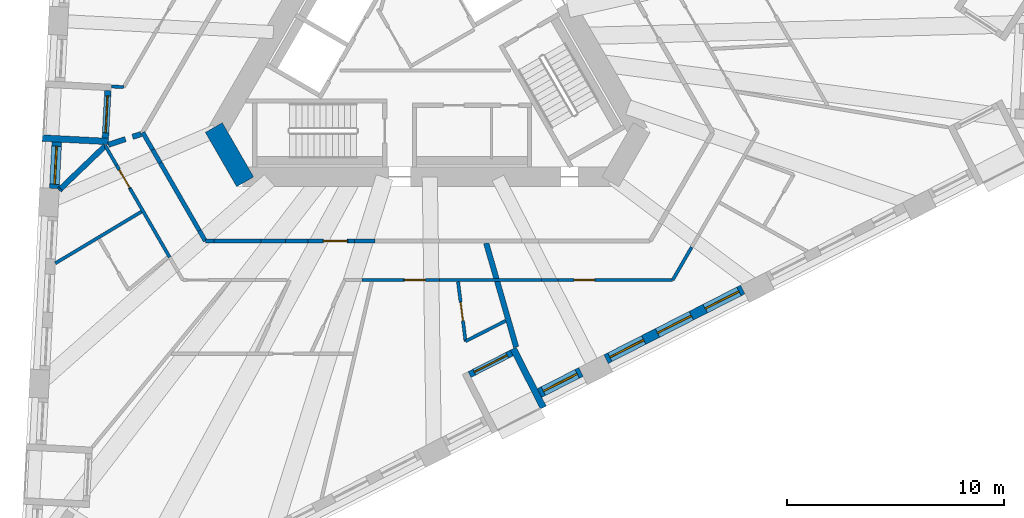
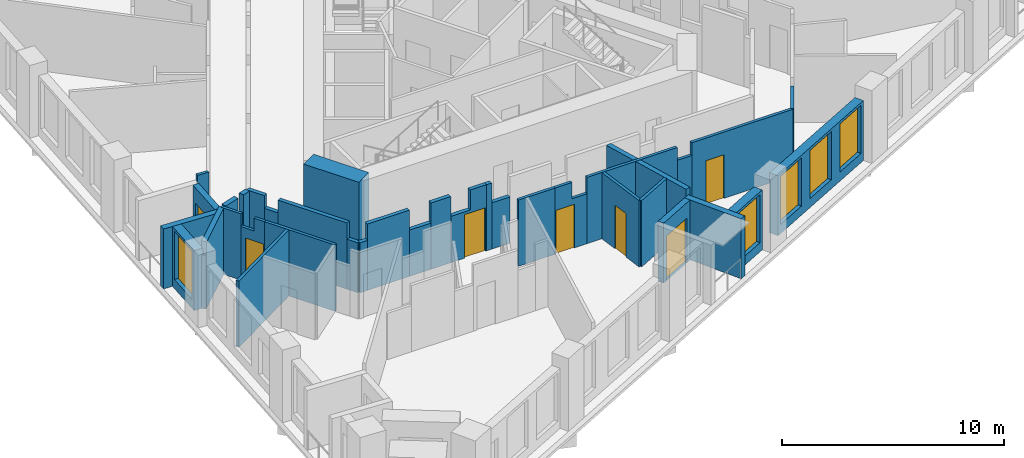
# One storey, part 3 of 13: 37 walls, 7 doors, 5 windows, 12 openings.
"""IFC4 building model written with IfcOpenShell, lengths in metres."""

import ifcopenshell
import ifcopenshell.guid

model = None  # the IFC model being written
_history = None  # IfcOwnerHistory: only IFC2X3 demands one
_inside = {}  # id of a spatial element -> (the spatial element, [elements in it])
_under = {}  # id of a project, library or spatial element -> (it, [spatial elements below it])
_declared = {}  # id of a project -> (the project, [libraries it declares])
_typed = {}  # id of a type object -> (the type object, [elements of that type])
_made_of = {}  # id of a material, layer set ... -> (it, [elements and type objects made of it])


def new_model(schema):
    """Start an empty IFC model of exactly this schema.

    Asked for "IFC4X3", IfcOpenShell would pick the latest addendum, in which some entities
    have other attributes; the version numbers below select the first issue.
    IFC2X3 requires an IfcOwnerHistory on every rooted entity: one is made here for all.
    """
    global model, _history
    if schema == "IFC4X3":
        model = ifcopenshell.file(schema_version=(4, 3, 0, 0))
    else:
        model = ifcopenshell.file(schema=schema)
    _inside.clear()
    _under.clear()
    _declared.clear()
    _typed.clear()
    _made_of.clear()
    _history = None
    if model.schema == "IFC2X3":
        org = make("IfcOrganization", Name="unknown")
        user = make(
            "IfcPersonAndOrganization",
            ThePerson=make("IfcPerson", FamilyName="unknown"),
            TheOrganization=org,
        )
        app = make(
            "IfcApplication",
            ApplicationDeveloper=org,
            Version="unknown",
            ApplicationFullName="unknown",
            ApplicationIdentifier="unknown",
        )
        _history = make(
            "IfcOwnerHistory",
            OwningUser=user,
            OwningApplication=app,
            ChangeAction="ADDED",
            CreationDate=0,
        )
    return model


def make(cls, **values):
    """One entity of the class cls with the attributes given. An attribute that is None is left unset."""
    return model.create_entity(
        cls, **{name: value for name, value in values.items() if value is not None}
    )


def rooted(cls, **values):
    """An entity with a GlobalId (a new one), such as an element, a storey or a relation."""
    return make(cls, GlobalId=ifcopenshell.guid.new(), OwnerHistory=_history, **values)


def si_unit(unit_type, name, prefix=None):
    """IfcSIUnit, for example si_unit("LENGTHUNIT", "METRE", prefix="MILLI")."""
    return make("IfcSIUnit", UnitType=unit_type, Prefix=prefix, Name=name)


def assignment(units):
    """IfcUnitAssignment: the units of a project."""
    return None if units is None else make("IfcUnitAssignment", Units=units)


def point(xyz):
    """IfcCartesianPoint."""
    return None if xyz is None else make("IfcCartesianPoint", Coordinates=xyz)


def direction(xyz):
    """IfcDirection."""
    return None if xyz is None else make("IfcDirection", DirectionRatios=xyz)


def frame(location, z_axis=None, x_axis=None):
    """IfcAxis2Placement3D, a coordinate frame: its origin and axes. An axis left out is left unset."""
    return make(
        "IfcAxis2Placement3D",
        Location=point(location),
        Axis=direction(z_axis),
        RefDirection=direction(x_axis),
    )


def frame_2d(location, x_axis=None):
    """IfcAxis2Placement2D, a coordinate frame in the plane: its origin and x axis."""
    return make(
        "IfcAxis2Placement2D", Location=point(location), RefDirection=direction(x_axis)
    )


def origin():
    """The frame at (0, 0, 0) with its axes left unset."""
    return frame((0.0, 0.0, 0.0))


def place(relative_to, where):
    """IfcLocalPlacement: puts the frame where relative to a parent placement (None: the world)."""
    return make(
        "IfcLocalPlacement", PlacementRelTo=relative_to, RelativePlacement=where
    )


def context(
    kind, dimensions, precision=None, world=None, true_north=None, identifier=None
):
    """IfcGeometricRepresentationContext, for example the 3D "Model" context."""
    return make(
        "IfcGeometricRepresentationContext",
        ContextIdentifier=identifier,
        ContextType=kind,
        CoordinateSpaceDimension=dimensions,
        Precision=precision,
        WorldCoordinateSystem=world,
        TrueNorth=true_north,
    )


def subcontext(parent, identifier, kind, view, scale=None):
    """IfcGeometricRepresentationSubContext, for example "Body" below "Model"."""
    return make(
        "IfcGeometricRepresentationSubContext",
        ContextIdentifier=identifier,
        ContextType=kind,
        ParentContext=parent,
        TargetScale=scale,
        TargetView=view,
    )


def project(units=None, contexts=None):
    """IfcProject with its units and contexts."""
    return rooted(
        "IfcProject",
        Name="project",
        RepresentationContexts=contexts,
        UnitsInContext=assignment(units),
    )


def spatial(cls, under=None, at=None, **own):
    """A site, building, storey or space (cls), placed at a placement, below another one or the project."""
    s = rooted(cls, ObjectPlacement=at, **own)
    if under is not None:
        _under.setdefault(under.id(), (under, []))[1].append(s)
    return s


def polyline(points):
    """IfcPolyline through the points."""
    return make("IfcPolyline", Points=[point(p) for p in points])


def profile(cls, at=None, kind="AREA", **sizes):
    """A parametric profile (cls). Its sizes go by their IFC names, for example OverallWidth=200.0."""
    return make(cls, ProfileType=kind, Position=at, **sizes)


def rectangle(**sizes):
    """IfcRectangleProfileDef."""
    return profile("IfcRectangleProfileDef", **sizes)


def outline(outer, holes=None, kind="AREA"):
    """IfcArbitraryClosedProfileDef: a profile drawn as a closed curve; with holes, ...WithVoids."""
    if holes is None:
        return make("IfcArbitraryClosedProfileDef", ProfileType=kind, OuterCurve=outer)
    return make(
        "IfcArbitraryProfileDefWithVoids",
        ProfileType=kind,
        OuterCurve=outer,
        InnerCurves=holes,
    )


def extrude(swept, where, along, depth):
    """IfcExtrudedAreaSolid: the profile swept, set in the frame where, extruded along a direction by depth."""
    return make(
        "IfcExtrudedAreaSolid",
        SweptArea=swept,
        Position=where,
        ExtrudedDirection=direction(along),
        Depth=depth,
    )


def shape(context_of_items, identifier, shape_type, items):
    """IfcShapeRepresentation: the items that make up one representation, for example the "Body"."""
    return make(
        "IfcShapeRepresentation",
        ContextOfItems=context_of_items,
        RepresentationIdentifier=identifier,
        RepresentationType=shape_type,
        Items=items,
    )


def material(Name=None, Category=None):
    """IfcMaterial."""
    return make("IfcMaterial", Name=Name, Category=Category)


def layer(
    of_material, thickness, ventilated=None, Name=None, Category=None, Priority=None
):
    """IfcMaterialLayer: one layer of a wall or slab, of a material (None: an air gap)."""
    return make(
        "IfcMaterialLayer",
        Material=of_material,
        LayerThickness=thickness,
        IsVentilated=ventilated,
        Name=Name,
        Category=Category,
        Priority=Priority,
    )


def layer_set(layers, Name=None):
    """IfcMaterialLayerSet."""
    return make("IfcMaterialLayerSet", MaterialLayers=layers, LayerSetName=Name)


def made_of(thing, what):
    """Note that an element or type object is made of a material, layer set ...; save() writes the relation."""
    if what is not None:
        _made_of.setdefault(what.id(), (what, []))[1].append(thing)
    return thing


def type_object(cls, material=None, **own):
    """A type object (cls), such as IfcWallType, which elements share."""
    return made_of(rooted(cls, **own), material)


def element(
    cls,
    number,
    at=None,
    inside=None,
    cuts=None,
    type_object=None,
    material=None,
    context=None,
    identifier="Body",
    shape_type=None,
    held_by="IfcProductDefinitionShape",
    body=None,
    shapes=None,
    **own,
):
    """One element of the class cls, such as IfcWall. Its Tag is "e" and its number.

    at: its placement. inside: the storey or other place that contains it. cuts: it is an
    opening in that element (IfcRelVoidsElement). A single representation is given by context,
    identifier, shape_type and body (its items); several are given by shapes. held_by: the class
    of the entity that holds the representations. save() writes the other relations.
    """
    e = rooted(cls, Tag="e%d" % number, ObjectPlacement=at, **own)
    if body is not None:
        shapes = [shape(context, identifier, shape_type, body)]
    if shapes is not None:
        e.Representation = make(held_by, Representations=shapes)
    if inside is not None:
        _inside.setdefault(inside.id(), (inside, []))[1].append(e)
    if cuts is not None:
        rooted(
            "IfcRelVoidsElement", RelatingBuildingElement=cuts, RelatedOpeningElement=e
        )
    if type_object is not None:
        _typed.setdefault(type_object.id(), (type_object, []))[1].append(e)
    return made_of(e, material)


def fill(opening, filler):
    """IfcRelFillsElement: the door or window that sits in an opening."""
    return rooted(
        "IfcRelFillsElement",
        RelatingOpeningElement=opening,
        RelatedBuildingElement=filler,
    )


def aggregate(whole, parts):
    """IfcRelAggregates: a whole, such as a stair, and the parts it consists of."""
    return rooted("IfcRelAggregates", RelatingObject=whole, RelatedObjects=parts)


def save(model, path):
    """Write the relations noted so far, then the file.

    IfcRelAggregates (storeys below a building ...), IfcRelContainedInSpatialStructure (elements
    in a storey), IfcRelDefinesByType, IfcRelAssociatesMaterial and IfcRelDeclares: one each for
    every whole, place, type object, material and project.
    """
    for whole, parts in _under.values():
        aggregate(whole, parts)
    for where, things in _inside.values():
        rooted(
            "IfcRelContainedInSpatialStructure",
            RelatedElements=things,
            RelatingStructure=where,
        )
    for kind, things in _typed.values():
        rooted("IfcRelDefinesByType", RelatedObjects=things, RelatingType=kind)
    for what, things in _made_of.values():
        rooted("IfcRelAssociatesMaterial", RelatedObjects=things, RelatingMaterial=what)
    for by, libraries in _declared.values():
        rooted("IfcRelDeclares", RelatingContext=by, RelatedDefinitions=libraries)
    model.write(path)


model = new_model("IFC4")

# Units and contexts
model_context = context("Model", 3, precision=1e-05, world=origin(), true_north=direction((0.0, 1.0)))
body_context = subcontext(model_context, "Body", "Model", "MODEL_VIEW")
ifc_project = project(units=[si_unit("LENGTHUNIT", "METRE"), si_unit("AREAUNIT", "SQUARE_METRE"), si_unit("VOLUMEUNIT", "CUBIC_METRE"), si_unit("PLANEANGLEUNIT", "RADIAN"), si_unit("MASSUNIT", "GRAM", prefix="KILO")], contexts=[model_context])

# Site, building, storey
site_placement = place(None, origin())
site = spatial("IfcSite", under=ifc_project, at=site_placement, CompositionType="ELEMENT")
building_placement = place(site_placement, origin())
building = spatial("IfcBuilding", under=site, at=building_placement, Name="Tramontana Tower", CompositionType="ELEMENT")
storey_placement = place(building_placement, frame((0.0, 0.0, 141.60009765625)))
storey = spatial("IfcBuildingStorey", under=building, at=storey_placement, Name="L32", CompositionType="ELEMENT", Elevation=141.60009765625)

# Walls
ifc_material_1 = material(Name="Concrete 70 MPa", Category="concrete")
ifc_layer_1 = layer(ifc_material_1, 0.89990234375)
ifc_layer_set_1 = layer_set([ifc_layer_1], Name="Core wall 900 70 MPa")
wall_type_1 = type_object("IfcWallType", Name="Core wall 900 70 MPa", PredefinedType="SHEAR", material=ifc_layer_set_1)
wall_1_placement = place(storey_placement, frame((-9.8583984375, -4.02490234375, 0.0), z_axis=(0.0, 0.0, 1.0), x_axis=(0.500059191753, -0.865991226713, 0.0)))
element("IfcWall", 1, at=wall_1_placement, inside=storey, type_object=wall_type_1, Name="Core wall C2 L32", PredefinedType="SHEAR", context=body_context, shape_type="SweptSolid", body=[
    extrude(rectangle(XDim=2.886962890625, YDim=0.89990234375, at=frame_2d((1.443359375, 0.0))), origin(), (0.0, 0.0, 1.0), 4.0),
])
ifc_material_2 = material(Name="Blockwork", Category="masonry")
ifc_layer_2 = layer(ifc_material_2, 0.199951171875)
ifc_layer_set_2 = layer_set([ifc_layer_2], Name="ENTRY WALL 200")
wall_type_2 = type_object("IfcWallType", Name="ENTRY WALL 200", PredefinedType="SOLIDWALL", material=ifc_layer_set_2)
wall_2_placement = place(storey_placement, frame((-2.441162109375, -9.25, 0.0), z_axis=(0.0, 0.0, 1.0), x_axis=(-1.0, 0.0, 0.0)))
element("IfcWall", 2, at=wall_2_placement, inside=storey, type_object=wall_type_2, Name="Wall v31-ew2-5", PredefinedType="SOLIDWALL", context=body_context, shape_type="SweptSolid", body=[
    extrude(rectangle(XDim=0.943603515625, YDim=0.199951171875, at=frame_2d((0.4716796875, 0.0))), origin(), (0.0, 0.0, 1.0), 2.5498046875),
])
wall_3_placement = place(storey_placement, frame((-3.384765625, -9.25, 0.0), z_axis=(0.0, 0.0, 1.0), x_axis=(-1.0, 0.0, 0.0)))
element("IfcWall", 3, at=wall_3_placement, inside=storey, type_object=wall_type_2, Name="Wall v31-ew2-6", PredefinedType="SOLIDWALL", context=body_context, shape_type="SweptSolid", body=[
    extrude(rectangle(XDim=0.280517578125, YDim=0.199951171875, at=frame_2d((0.14013671875, 0.0))), origin(), (0.0, 0.0, 1.0), 3.64990234375),
])

# Wall, opening, door
wall_4_placement = place(storey_placement, frame((-3.665283203125, -9.25, 0.0), z_axis=(0.0, 0.0, 1.0), x_axis=(-1.0, 0.0, 0.0)))
wall_4 = element("IfcWall", 4, at=wall_4_placement, inside=storey, type_object=wall_type_2, Name="Wall v31-ew2-7", PredefinedType="SOLIDWALL", context=body_context, shape_type="SweptSolid", body=[
    extrude(outline(polyline([(0.0, 0.0), (1.85693359375, 0.0), (1.85693359375, 2.5498046875), (0.833251953125, 2.5498046875), (0.833251953125, 3.64990234375), (0.0, 3.64990234375), (0.0, 0.0)])), frame((0.0, 0.10009765625, 0.0), z_axis=(0.0, -1.0, 0.0), x_axis=(1.0, 0.0, 0.0)), (0.0, 0.0, 1.0), 0.199951171875),
])
opening_1_placement = place(wall_4_placement, frame((0.050048828125, 0.0, 0.0)))
opening_1 = element("IfcOpeningElement", 5, at=opening_1_placement, cuts=wall_4, Name="Opening B3B-27", PredefinedType="OPENING", context=body_context, shape_type="SweptSolid", body=[
    extrude(rectangle(XDim=1.10009765625, YDim=2.39990234375, at=frame_2d((0.550048828125, 1.199951171875))), frame((0.0, 0.10986328125, 0.0), z_axis=(0.0, -1.0, 0.0), x_axis=(1.0, 0.0, 0.0)), (0.0, 0.0, 1.0), 0.219970703125),
])
ifc_material_3 = material(Name="Painted timber", Category="wood")
door_type_1 = type_object("IfcDoorType", Name="DOOR ENTRY 1100", OperationType="SINGLE_SWING_LEFT", PredefinedType="DOOR", material=ifc_material_3)
door_1_placement = place(opening_1_placement, origin())
door_1 = element("IfcDoor", 6, at=door_1_placement, inside=storey, type_object=door_type_1, Name="Door B3B-27", OperationType="SINGLE_SWING_LEFT", OverallHeight=2.39990234375, OverallWidth=1.10009765625, PredefinedType="DOOR", context=body_context, shape_type="SweptSolid", body=[
    extrude(rectangle(XDim=1.10009765625, YDim=2.39990234375, at=frame_2d((0.550048828125, 1.199951171875))), frame((0.0, 0.02490234375, 0.0), z_axis=(0.0, -1.0, 0.0), x_axis=(1.0, 0.0, 0.0)), (0.0, 0.0, 1.0), 0.050048828125),
])
fill(opening_1, door_1)

# Walls
wall_5_placement = place(storey_placement, frame((-5.522216796875, -9.25, 0.0), z_axis=(0.0, 0.0, 1.0), x_axis=(-1.0, 0.0, 0.0)))
element("IfcWall", 7, at=wall_5_placement, inside=storey, type_object=wall_type_2, Name="Wall v31-ew2-8", PredefinedType="SOLIDWALL", context=body_context, shape_type="SweptSolid", body=[
    extrude(rectangle(XDim=1.0224609375, YDim=0.199951171875, at=frame_2d((0.51123046875, 0.0))), origin(), (0.0, 0.0, 1.0), 3.64990234375),
])
wall_6_placement = place(storey_placement, frame((-6.544677734375, -9.25, 0.0), z_axis=(0.0, 0.0, 1.0), x_axis=(-1.0, 0.0, 0.0)))
element("IfcWall", 8, at=wall_6_placement, inside=storey, type_object=wall_type_2, Name="Wall v31-ew2-9", PredefinedType="SOLIDWALL", context=body_context, shape_type="SweptSolid", body=[
    extrude(rectangle(XDim=1.13525390625, YDim=0.199951171875, at=frame_2d((0.567626953125, 0.0))), origin(), (0.0, 0.0, 1.0), 2.5498046875),
])
wall_7_placement = place(storey_placement, frame((-7.679931640625, -9.25, 0.0), z_axis=(0.0, 0.0, 1.0), x_axis=(-1.0, 0.0, 0.0)))
element("IfcWall", 9, at=wall_7_placement, inside=storey, type_object=wall_type_2, Name="Wall v31-ew2-10", PredefinedType="SOLIDWALL", context=body_context, shape_type="SweptSolid", body=[
    extrude(rectangle(XDim=2.1787109375, YDim=0.199951171875, at=frame_2d((1.08935546875, 0.0))), origin(), (0.0, 0.0, 1.0), 3.64990234375),
])
wall_8_placement = place(storey_placement, frame((-9.858642578125, -9.25, 0.0), z_axis=(0.0, 0.0, 1.0), x_axis=(-1.0, 0.0, 0.0)))
element("IfcWall", 10, at=wall_8_placement, inside=storey, type_object=wall_type_2, Name="Wall v31-ew2-11", PredefinedType="SOLIDWALL", context=body_context, shape_type="SweptSolid", body=[
    extrude(rectangle(XDim=0.389404296875, YDim=0.199951171875, at=frame_2d((0.19482421875, 0.0))), origin(), (0.0, 0.0, 1.0), 2.75),
])
wall_9_placement = place(storey_placement, frame((-10.248046875, -9.25, 0.0), z_axis=(0.0, 0.0, 1.0), x_axis=(-0.499887958344, 0.866090081402, 0.0)))
element("IfcWall", 11, at=wall_9_placement, inside=storey, type_object=wall_type_2, Name="Wall v31-ew3-0", PredefinedType="SOLIDWALL", context=body_context, shape_type="SweptSolid", body=[
    extrude(rectangle(XDim=0.553466796875, YDim=0.199951171875, at=frame_2d((0.27685546875, 0.0))), origin(), (0.0, 0.0, 1.0), 2.75),
])
wall_10_placement = place(storey_placement, frame((-10.524658203125, -8.770751953125, 0.0), z_axis=(0.0, 0.0, 1.0), x_axis=(-0.500031425827, 0.866007259314, 0.0)))
element("IfcWall", 12, at=wall_10_placement, inside=storey, type_object=wall_type_2, Name="Wall v31-ew3-1", PredefinedType="SOLIDWALL", context=body_context, shape_type="SweptSolid", body=[
    extrude(rectangle(XDim=3.602294921875, YDim=0.199951171875, at=frame_2d((1.80126953125, 0.0))), origin(), (0.0, 0.0, 1.0), 3.64990234375),
])
wall_11_placement = place(storey_placement, frame((-12.325927734375, -5.651123046875, 0.0), z_axis=(0.0, 0.0, 1.0), x_axis=(-0.499752435038, 0.86616828831, 0.0)))
element("IfcWall", 13, at=wall_11_placement, inside=storey, type_object=wall_type_2, Name="Wall v31-ew3-2", PredefinedType="SOLIDWALL", context=body_context, shape_type="SweptSolid", body=[
    extrude(rectangle(XDim=0.704833984375, YDim=0.199951171875, at=frame_2d((0.3525390625, 0.0))), origin(), (0.0, 0.0, 1.0), 2.949951171875),
])
wall_12_placement = place(storey_placement, frame((-12.67822265625, -5.04052734375, 0.0), z_axis=(0.0, 0.0, 1.0), x_axis=(-0.500108273885, 0.865962882802, 0.0)))
element("IfcWall", 14, at=wall_12_placement, inside=storey, type_object=wall_type_2, Name="Wall v31-ew3-3", PredefinedType="SOLIDWALL", context=body_context, shape_type="SweptSolid", body=[
    extrude(rectangle(XDim=0.912841796875, YDim=0.199951171875, at=frame_2d((0.45654296875, 0.0))), origin(), (0.0, 0.0, 1.0), 3.64990234375),
])

# Wall, opening, window
ifc_material_4 = material(Name="Precast concrete 60 MPa", Category="concrete")
ifc_layer_3 = layer(ifc_material_4, 0.449951171875)
ifc_layer_set_3 = layer_set([ifc_layer_3], Name="Precast concrete 60 MPa, 450 mm")
wall_type_3 = type_object("IfcWallType", Name="EW1 Stone-faced precast wall 450", PredefinedType="SOLIDWALL", material=ifc_layer_set_3)
wall_13_placement = place(storey_placement, frame((-17.093994140625, -4.69287109375, 0.0), z_axis=(0.0, 0.0, 1.0), x_axis=(-0.052355281723, -0.998628521762, 0.0)))
wall_13 = element("IfcWall", 15, at=wall_13_placement, inside=storey, type_object=wall_type_3, Name="External wall L32 face 0 bay 4", PredefinedType="SOLIDWALL", context=body_context, shape_type="SweptSolid", body=[
    extrude(rectangle(XDim=2.140380859375, YDim=0.449951171875, at=frame_2d((1.0703125, 0.0))), origin(), (0.0, 0.0, 1.0), 3.2998046875),
])
opening_2_placement = place(wall_13_placement, frame((0.1953125, 0.0, 0.5)))
opening_2 = element("IfcOpeningElement", 16, at=opening_2_placement, cuts=wall_13, Name="Opening M2", PredefinedType="OPENING", context=body_context, shape_type="SweptSolid", body=[
    extrude(rectangle(XDim=1.75, YDim=2.64990234375, at=frame_2d((0.875, 1.324951171875))), frame((0.0, 0.23486328125, 0.0), z_axis=(0.0, -1.0, 0.0), x_axis=(1.0, 0.0, 0.0)), (0.0, 0.0, 1.0), 0.469970703125),
])
ifc_material_5 = material(Name="Aluminum frame, double glazing unit", Category="aluminium")
window_type = type_object("IfcWindowType", Name="M2 Window 1.75 x 2.65", PartitioningType="SINGLE_PANEL", PredefinedType="WINDOW", material=ifc_material_5)
window_1_placement = place(opening_2_placement, origin())
window_1 = element("IfcWindow", 17, at=window_1_placement, inside=storey, type_object=window_type, Name="Window M2 L32 face 0 module 12", OverallHeight=2.64990234375, OverallWidth=1.75, PartitioningType="SINGLE_PANEL", PredefinedType="WINDOW", context=body_context, shape_type="SweptSolid", body=[
    extrude(rectangle(XDim=1.75, YDim=2.64990234375, at=frame_2d((0.875, 1.324951171875))), frame((0.0, 0.030029296875, 0.0), z_axis=(0.0, -1.0, 0.0), x_axis=(1.0, 0.0, 0.0)), (0.0, 0.0, 1.0), 0.06005859375),
])
fill(opening_2, window_1)

wall_14_placement = place(storey_placement, frame((5.152099609375, -16.258056640625, 0.0), z_axis=(0.0, 0.0, 1.0), x_axis=(0.891025569559, 0.453953119156, 0.0)))
wall_14 = element("IfcWall", 18, at=wall_14_placement, inside=storey, type_object=wall_type_3, Name="External wall L32 face 1 bay 3", PredefinedType="SOLIDWALL", context=body_context, shape_type="SweptSolid", body=[
    extrude(rectangle(XDim=2.140380859375, YDim=0.449951171875, at=frame_2d((1.0703125, 0.0))), origin(), (0.0, 0.0, 1.0), 3.2998046875),
])
opening_3_placement = place(wall_14_placement, frame((0.1953125, 0.0, 0.5)))
opening_3 = element("IfcOpeningElement", 19, at=opening_3_placement, cuts=wall_14, Name="Opening M2", PredefinedType="OPENING", context=body_context, shape_type="SweptSolid", body=[
    extrude(rectangle(XDim=1.75, YDim=2.64990234375, at=frame_2d((0.875, 1.324951171875))), frame((0.0, 0.23486328125, 0.0), z_axis=(0.0, -1.0, 0.0), x_axis=(1.0, 0.0, 0.0)), (0.0, 0.0, 1.0), 0.469970703125),
])
window_2_placement = place(opening_3_placement, origin())
window_2 = element("IfcWindow", 20, at=window_2_placement, inside=storey, type_object=window_type, Name="Window M2 L32 face 1 module 9", OverallHeight=2.64990234375, OverallWidth=1.75, PartitioningType="SINGLE_PANEL", PredefinedType="WINDOW", context=body_context, shape_type="SweptSolid", body=[
    extrude(rectangle(XDim=1.75, YDim=2.64990234375, at=frame_2d((0.875, 1.324951171875))), frame((0.0, 0.030029296875, 0.0), z_axis=(0.0, -1.0, 0.0), x_axis=(1.0, 0.0, 0.0)), (0.0, 0.0, 1.0), 0.06005859375),
])
fill(opening_3, window_2)

# Wall, openings, windows
wall_15_placement = place(storey_placement, frame((8.217529296875, -14.696044921875, 0.0), z_axis=(0.0, 0.0, 1.0), x_axis=(0.891004189171, 0.45399508244, 0.0)))
wall_15 = element("IfcWall", 21, at=wall_15_placement, inside=storey, type_object=wall_type_3, Name="External wall L32 face 1 bay 4", PredefinedType="SOLIDWALL", context=body_context, shape_type="SweptSolid", body=[
    extrude(rectangle(XDim=7.071533203125, YDim=0.449951171875, at=frame_2d((3.53564453125, 0.0))), origin(), (0.0, 0.0, 1.0), 3.2998046875),
])
opening_4_placement = place(wall_15_placement, frame((0.1953125, 0.0, 0.5)))
opening_4 = element("IfcOpeningElement", 22, at=opening_4_placement, cuts=wall_15, Name="Opening M2", PredefinedType="OPENING", context=body_context, shape_type="SweptSolid", body=[
    extrude(rectangle(XDim=1.75, YDim=2.64990234375, at=frame_2d((0.875, 1.324951171875))), frame((0.0, 0.23486328125, 0.0), z_axis=(0.0, -1.0, 0.0), x_axis=(1.0, 0.0, 0.0)), (0.0, 0.0, 1.0), 0.469970703125),
])
opening_5_placement = place(wall_15_placement, frame((2.660888671875, 0.0, 0.5)))
opening_5 = element("IfcOpeningElement", 23, at=opening_5_placement, cuts=wall_15, Name="Opening M2", PredefinedType="OPENING", context=body_context, shape_type="SweptSolid", body=[
    extrude(rectangle(XDim=1.75, YDim=2.64990234375, at=frame_2d((0.875, 1.324951171875))), frame((0.0, 0.23486328125, 0.0), z_axis=(0.0, -1.0, 0.0), x_axis=(1.0, 0.0, 0.0)), (0.0, 0.0, 1.0), 0.469970703125),
])
opening_6_placement = place(wall_15_placement, frame((5.126220703125, 0.0, 0.5)))
opening_6 = element("IfcOpeningElement", 24, at=opening_6_placement, cuts=wall_15, Name="Opening M2", PredefinedType="OPENING", context=body_context, shape_type="SweptSolid", body=[
    extrude(rectangle(XDim=1.75, YDim=2.64990234375, at=frame_2d((0.875, 1.324951171875))), frame((0.0, 0.23486328125, 0.0), z_axis=(0.0, -1.0, 0.0), x_axis=(1.0, 0.0, 0.0)), (0.0, 0.0, 1.0), 0.469970703125),
])
window_3_placement = place(opening_4_placement, origin())
window_3 = element("IfcWindow", 25, at=window_3_placement, inside=storey, type_object=window_type, Name="Window M2 L32 face 1 module 10", OverallHeight=2.64990234375, OverallWidth=1.75, PartitioningType="SINGLE_PANEL", PredefinedType="WINDOW", context=body_context, shape_type="SweptSolid", body=[
    extrude(rectangle(XDim=1.75, YDim=2.64990234375, at=frame_2d((0.875, 1.324951171875))), frame((0.0, 0.030029296875, 0.0), z_axis=(0.0, -1.0, 0.0), x_axis=(1.0, 0.0, 0.0)), (0.0, 0.0, 1.0), 0.06005859375),
])
fill(opening_4, window_3)
window_4_placement = place(opening_5_placement, origin())
window_4 = element("IfcWindow", 26, at=window_4_placement, inside=storey, type_object=window_type, Name="Window M2 L32 face 1 module 11", OverallHeight=2.64990234375, OverallWidth=1.75, PartitioningType="SINGLE_PANEL", PredefinedType="WINDOW", context=body_context, shape_type="SweptSolid", body=[
    extrude(rectangle(XDim=1.75, YDim=2.64990234375, at=frame_2d((0.875, 1.324951171875))), frame((0.0, 0.030029296875, 0.0), z_axis=(0.0, -1.0, 0.0), x_axis=(1.0, 0.0, 0.0)), (0.0, 0.0, 1.0), 0.06005859375),
])
fill(opening_5, window_4)
window_5_placement = place(opening_6_placement, origin())
window_5 = element("IfcWindow", 27, at=window_5_placement, inside=storey, type_object=window_type, Name="Window M2 L32 face 1 module 12", OverallHeight=2.64990234375, OverallWidth=1.75, PartitioningType="SINGLE_PANEL", PredefinedType="WINDOW", context=body_context, shape_type="SweptSolid", body=[
    extrude(rectangle(XDim=1.75, YDim=2.64990234375, at=frame_2d((0.875, 1.324951171875))), frame((0.0, 0.030029296875, 0.0), z_axis=(0.0, -1.0, 0.0), x_axis=(1.0, 0.0, 0.0)), (0.0, 0.0, 1.0), 0.06005859375),
])
fill(opening_6, window_5)

# Wall, opening, door
ifc_material_6 = material(Name="Precast concrete 60 MPa", Category="concrete")
ifc_layer_4 = layer(ifc_material_6, 0.300048828125)
ifc_layer_set_4 = layer_set([ifc_layer_4], Name="LW1 Stone-faced loggia wall 300")
wall_type_4 = type_object("IfcWallType", Name="LW1 Stone-faced loggia wall 300", PredefinedType="SOLIDWALL", material=ifc_layer_set_4)
wall_16_placement = place(storey_placement, frame((-14.74169921875, -2.322265625, 0.0), z_axis=(0.0, 0.0, 1.0), x_axis=(-0.052383338583, -0.998627050424, 0.0)))
wall_16 = element("IfcWall", 28, at=wall_16_placement, inside=storey, type_object=wall_type_4, Name="Loggia wall L32 G3S0.10", PredefinedType="SOLIDWALL", context=body_context, shape_type="SweptSolid", body=[
    extrude(rectangle(XDim=2.1904296875, YDim=0.300048828125, at=frame_2d((1.09521484375, 0.0))), origin(), (0.0, 0.0, 1.0), 3.2998046875),
])
opening_7_placement = place(wall_16_placement, frame((0.245361328125, 0.0, 0.0)))
opening_7 = element("IfcOpeningElement", 29, at=opening_7_placement, cuts=wall_16, Name="Opening BD-3S0-10", PredefinedType="OPENING", context=body_context, shape_type="SweptSolid", body=[
    extrude(rectangle(XDim=1.699951171875, YDim=2.449951171875, at=frame_2d((0.85009765625, 1.22509765625))), frame((0.0, 0.159912109375, 0.0), z_axis=(0.0, -1.0, 0.0), x_axis=(1.0, 0.0, 0.0)), (0.0, 0.0, 1.0), 0.320068359375),
])
ifc_material_7 = material(Name="Aluminum frame, double glazing unit", Category="aluminium")
door_type_2 = type_object("IfcDoorType", Name="BD2 Sliding door 1.7 x 2.45", OperationType="SLIDING_TO_LEFT", PredefinedType="DOOR", material=ifc_material_7)
door_2_placement = place(opening_7_placement, origin())
door_2 = element("IfcDoor", 30, at=door_2_placement, inside=storey, type_object=door_type_2, Name="Loggia door L32 G3S0.10", OperationType="SLIDING_TO_LEFT", OverallHeight=2.449951171875, OverallWidth=1.699951171875, PredefinedType="DOOR", context=body_context, shape_type="SweptSolid", body=[
    extrude(rectangle(XDim=1.699951171875, YDim=2.449951171875, at=frame_2d((0.85009765625, 1.22509765625))), frame((0.0, 0.02490234375, 0.0), z_axis=(0.0, -1.0, 0.0), x_axis=(1.0, 0.0, 0.0)), (0.0, 0.0, 1.0), 0.050048828125),
])
fill(opening_7, door_2)

# Wall
wall_17_placement = place(storey_placement, frame((-17.76025390625, -4.5078125, 0.0), z_axis=(0.0, 0.0, 1.0), x_axis=(0.998633044326, -0.052268946613, 0.0)))
element("IfcWall", 31, at=wall_17_placement, inside=storey, type_object=wall_type_4, Name="Loggia return L32 G3S0.10b", PredefinedType="SOLIDWALL", context=body_context, shape_type="SweptSolid", body=[
    extrude(rectangle(XDim=3.050048828125, YDim=0.300048828125, at=frame_2d((1.52490234375, 0.0))), origin(), (0.0, 0.0, 1.0), 3.2998046875),
])

# Wall, opening, door
wall_18_placement = place(storey_placement, frame((1.9228515625, -15.40625, 0.0), z_axis=(0.0, 0.0, 1.0), x_axis=(0.891013126725, 0.4539775413, 0.0)))
wall_18 = element("IfcWall", 32, at=wall_18_placement, inside=storey, type_object=wall_type_4, Name="Loggia wall L32 G3S1.7", PredefinedType="SOLIDWALL", context=body_context, shape_type="SweptSolid", body=[
    extrude(rectangle(XDim=2.1904296875, YDim=0.300048828125, at=frame_2d((1.09521484375, 0.0))), origin(), (0.0, 0.0, 1.0), 3.2998046875),
])
opening_8_placement = place(wall_18_placement, frame((0.245361328125, 0.0, 0.0)))
opening_8 = element("IfcOpeningElement", 33, at=opening_8_placement, cuts=wall_18, Name="Opening BD-3S1-07", PredefinedType="OPENING", context=body_context, shape_type="SweptSolid", body=[
    extrude(rectangle(XDim=1.699951171875, YDim=2.449951171875, at=frame_2d((0.85009765625, 1.22509765625))), frame((0.0, 0.159912109375, 0.0), z_axis=(0.0, -1.0, 0.0), x_axis=(1.0, 0.0, 0.0)), (0.0, 0.0, 1.0), 0.320068359375),
])
door_3_placement = place(opening_8_placement, origin())
door_3 = element("IfcDoor", 34, at=door_3_placement, inside=storey, type_object=door_type_2, Name="Loggia door L32 G3S1.7", OperationType="SLIDING_TO_LEFT", OverallHeight=2.449951171875, OverallWidth=1.699951171875, PredefinedType="DOOR", context=body_context, shape_type="SweptSolid", body=[
    extrude(rectangle(XDim=1.699951171875, YDim=2.449951171875, at=frame_2d((0.85009765625, 1.22509765625))), frame((0.0, 0.02490234375, 0.0), z_axis=(0.0, -1.0, 0.0), x_axis=(1.0, 0.0, 0.0)), (0.0, 0.0, 1.0), 0.050048828125),
])
fill(opening_8, door_3)

# Walls
wall_19_placement = place(storey_placement, frame((5.32470703125, -16.927490234375, 0.0), z_axis=(0.0, 0.0, 1.0), x_axis=(-0.453956959009, 0.891023613249, 0.0)))
element("IfcWall", 35, at=wall_19_placement, inside=storey, type_object=wall_type_4, Name="Loggia return L32 G3S1.7b", PredefinedType="SOLIDWALL", context=body_context, shape_type="SweptSolid", body=[
    extrude(rectangle(XDim=3.0498046875, YDim=0.300048828125, at=frame_2d((1.52490234375, 0.0))), origin(), (0.0, 0.0, 1.0), 3.2998046875),
])
ifc_material_8 = material(Name="Gypsum board partition")
ifc_layer_5 = layer(ifc_material_8, 0.14990234375)
ifc_layer_set_5 = layer_set([ifc_layer_5], Name="PARTITION 150")
wall_type_5 = type_object("IfcWallType", Name="PARTITION 150", PredefinedType="PARTITIONING", material=ifc_layer_set_5)
wall_20_placement = place(storey_placement, frame((-17.161376953125, -10.278076171875, 0.0), z_axis=(0.0, 0.0, 1.0), x_axis=(0.857883773594, 0.513843780739, 0.0)))
element("IfcWall", 36, at=wall_20_placement, inside=storey, type_object=wall_type_5, Name="Wall v31-pw00", PredefinedType="PARTITIONING", context=body_context, shape_type="SweptSolid", body=[
    extrude(rectangle(XDim=4.626708984375, YDim=0.14990234375, at=frame_2d((2.3134765625, 0.0))), origin(), (0.0, 0.0, 1.0), 3.64990234375),
])
wall_21_placement = place(storey_placement, frame((-14.581298828125, -2.13037109375, 0.0), z_axis=(0.0, 0.0, 1.0), x_axis=(0.998630722964, -0.052313278929, 0.0)))
element("IfcWall", 37, at=wall_21_placement, inside=storey, type_object=wall_type_5, Name="Wall v31-pw03", PredefinedType="PARTITIONING", context=body_context, shape_type="SweptSolid", body=[
    extrude(rectangle(XDim=0.573974609375, YDim=0.14990234375, at=frame_2d((0.287109375, 0.0))), origin(), (0.0, 0.0, 1.0), 3.64990234375),
])
wall_22_placement = place(storey_placement, frame((-11.894287109375, -9.99853515625, 0.0), z_axis=(0.0, 0.0, 1.0), x_axis=(-0.499992475648, 0.866029747927, 0.0)))
element("IfcWall", 38, at=wall_22_placement, inside=storey, type_object=wall_type_5, Name="Wall v31-pw11-2", PredefinedType="PARTITIONING", context=body_context, shape_type="SweptSolid", body=[
    extrude(rectangle(XDim=3.65234375, YDim=0.14990234375, at=frame_2d((1.826171875, 0.0))), origin(), (0.0, 0.0, 1.0), 3.64990234375),
])

# Wall, opening, door
wall_23_placement = place(storey_placement, frame((-13.720458984375, -6.83544921875, 0.0), z_axis=(0.0, 0.0, 1.0), x_axis=(-0.499938866099, 0.866060696582, 0.0)))
wall_23 = element("IfcWall", 39, at=wall_23_placement, inside=storey, type_object=wall_type_5, Name="Wall v31-pw11-3", PredefinedType="PARTITIONING", context=body_context, shape_type="SweptSolid", body=[
    extrude(outline(polyline([(0.0, 0.0), (1.237060546875, 0.0), (1.237060546875, 2.949951171875), (0.55712890625, 2.949951171875), (0.55712890625, 3.64990234375), (0.0, 3.64990234375), (0.0, 0.0)])), frame((0.0, 0.074951171875, 0.0), z_axis=(0.0, -1.0, 0.0), x_axis=(1.0, 0.0, 0.0)), (0.0, 0.0, 1.0), 0.14990234375),
])
opening_9_placement = place(wall_23_placement, frame((0.050048828125, 0.0, 0.0)))
opening_9 = element("IfcOpeningElement", 40, at=opening_9_placement, cuts=wall_23, Name="Opening B3B-13", PredefinedType="OPENING", context=body_context, shape_type="SweptSolid", body=[
    extrude(rectangle(XDim=0.949951171875, YDim=2.39990234375, at=frame_2d((0.47509765625, 1.199951171875))), frame((0.0, 0.0849609375, 0.0), z_axis=(0.0, -1.0, 0.0), x_axis=(1.0, 0.0, 0.0)), (0.0, 0.0, 1.0), 0.169921875),
])
ifc_material_9 = material(Name="Painted timber", Category="wood")
door_type_3 = type_object("IfcDoorType", Name="DOOR ROOM 950", OperationType="SINGLE_SWING_LEFT", PredefinedType="DOOR", material=ifc_material_9)
door_4_placement = place(opening_9_placement, origin())
door_4 = element("IfcDoor", 41, at=door_4_placement, inside=storey, type_object=door_type_3, Name="Door B3B-13", OperationType="SINGLE_SWING_LEFT", OverallHeight=2.39990234375, OverallWidth=0.949951171875, PredefinedType="DOOR", context=body_context, shape_type="SweptSolid", body=[
    extrude(rectangle(XDim=0.949951171875, YDim=2.39990234375, at=frame_2d((0.47509765625, 1.199951171875))), frame((0.0, 0.02490234375, 0.0), z_axis=(0.0, -1.0, 0.0), x_axis=(1.0, 0.0, 0.0)), (0.0, 0.0, 1.0), 0.050048828125),
])
fill(opening_9, door_4)

# Wall
wall_24_placement = place(storey_placement, frame((-14.3388671875, -5.76416015625, 0.0), z_axis=(0.0, 0.0, 1.0), x_axis=(-0.500121408466, 0.865955297226, 0.0)))
element("IfcWall", 42, at=wall_24_placement, inside=storey, type_object=wall_type_5, Name="Wall v31-pw11-4", PredefinedType="PARTITIONING", context=body_context, shape_type="SweptSolid", body=[
    extrude(rectangle(XDim=1.041748046875, YDim=0.14990234375, at=frame_2d((0.52099609375, 0.0))), origin(), (0.0, 0.0, 1.0), 3.64990234375),
])

# Wall, opening, door
wall_25_placement = place(storey_placement, frame((1.39599609375, -11.125, 0.0), z_axis=(0.0, 0.0, 1.0), x_axis=(0.124544948095, -0.992213966796, 0.0)))
wall_25 = element("IfcWall", 43, at=wall_25_placement, inside=storey, type_object=wall_type_5, Name="Wall v31-pw26", PredefinedType="PARTITIONING", context=body_context, shape_type="SweptSolid", body=[
    extrude(rectangle(XDim=2.767822265625, YDim=0.14990234375, at=frame_2d((1.3837890625, 0.0))), origin(), (0.0, 0.0, 1.0), 3.64990234375),
])
opening_10_placement = place(wall_25_placement, frame((0.958984375, 0.0, 0.0)))
opening_10 = element("IfcOpeningElement", 44, at=opening_10_placement, cuts=wall_25, Name="Opening B3B-16", PredefinedType="OPENING", context=body_context, shape_type="SweptSolid", body=[
    extrude(rectangle(XDim=0.85009765625, YDim=2.39990234375, at=frame_2d((0.425048828125, 1.199951171875))), frame((0.0, 0.0849609375, 0.0), z_axis=(0.0, -1.0, 0.0), x_axis=(1.0, 0.0, 0.0)), (0.0, 0.0, 1.0), 0.169921875),
])
ifc_material_10 = material(Name="Painted timber", Category="wood")
door_type_4 = type_object("IfcDoorType", Name="DOOR BATH 850", OperationType="SINGLE_SWING_LEFT", PredefinedType="DOOR", material=ifc_material_10)
door_5_placement = place(opening_10_placement, origin())
door_5 = element("IfcDoor", 45, at=door_5_placement, inside=storey, type_object=door_type_4, Name="Door B3B-16", OperationType="SINGLE_SWING_RIGHT", OverallHeight=2.39990234375, OverallWidth=0.85009765625, PredefinedType="DOOR", context=body_context, shape_type="SweptSolid", body=[
    extrude(rectangle(XDim=0.85009765625, YDim=2.39990234375, at=frame_2d((0.425048828125, 1.199951171875))), frame((0.0, 0.02490234375, 0.0), z_axis=(0.0, -1.0, 0.0), x_axis=(1.0, 0.0, 0.0)), (0.0, 0.0, 1.0), 0.050048828125),
])
fill(opening_10, door_5)

# Wall
wall_26_placement = place(storey_placement, frame((3.59375, -12.92724609375, 0.0), z_axis=(0.0, 0.0, 1.0), x_axis=(-0.891020682523, -0.453962711372, 0.0)))
element("IfcWall", 46, at=wall_26_placement, inside=storey, type_object=wall_type_5, Name="Wall v31-pw28", PredefinedType="PARTITIONING", context=body_context, shape_type="SweptSolid", body=[
    extrude(rectangle(XDim=2.07958984375, YDim=0.14990234375, at=frame_2d((1.039794921875, 0.0))), origin(), (0.0, 0.0, 1.0), 3.64990234375),
])

# Wall, opening, door
wall_27_placement = place(storey_placement, frame((11.287109375, -11.050048828125, 0.0), z_axis=(0.0, 0.0, 1.0), x_axis=(-1.0, 0.0, 0.0)))
wall_27 = element("IfcWall", 47, at=wall_27_placement, inside=storey, type_object=wall_type_5, Name="Wall v31-pw35-0", PredefinedType="PARTITIONING", context=body_context, shape_type="SweptSolid", body=[
    extrude(rectangle(XDim=5.278076171875, YDim=0.14990234375, at=frame_2d((2.63916015625, 0.0))), origin(), (0.0, 0.0, 1.0), 3.64990234375),
])
opening_11_placement = place(wall_27_placement, frame((3.597412109375, 0.0, 0.0)))
opening_11 = element("IfcOpeningElement", 48, at=opening_11_placement, cuts=wall_27, Name="Opening B3B-20", PredefinedType="OPENING", context=body_context, shape_type="SweptSolid", body=[
    extrude(rectangle(XDim=0.949951171875, YDim=2.39990234375, at=frame_2d((0.47509765625, 1.199951171875))), frame((0.0, 0.0849609375, 0.0), z_axis=(0.0, -1.0, 0.0), x_axis=(1.0, 0.0, 0.0)), (0.0, 0.0, 1.0), 0.169921875),
])
door_6_placement = place(opening_11_placement, origin())
door_6 = element("IfcDoor", 49, at=door_6_placement, inside=storey, type_object=door_type_3, Name="Door B3B-20", OperationType="SINGLE_SWING_RIGHT", OverallHeight=2.39990234375, OverallWidth=0.949951171875, PredefinedType="DOOR", context=body_context, shape_type="SweptSolid", body=[
    extrude(rectangle(XDim=0.949951171875, YDim=2.39990234375, at=frame_2d((0.47509765625, 1.199951171875))), frame((0.0, 0.02490234375, 0.0), z_axis=(0.0, -1.0, 0.0), x_axis=(1.0, 0.0, 0.0)), (0.0, 0.0, 1.0), 0.050048828125),
])
fill(opening_11, door_6)

# Walls
wall_28_placement = place(storey_placement, frame((6.009033203125, -11.050048828125, 0.0), z_axis=(0.0, 0.0, 1.0), x_axis=(-1.0, 0.0, 0.0)))
element("IfcWall", 50, at=wall_28_placement, inside=storey, type_object=wall_type_5, Name="Wall v31-pw35-1", PredefinedType="PARTITIONING", context=body_context, shape_type="SweptSolid", body=[
    extrude(rectangle(XDim=0.757568359375, YDim=0.14990234375, at=frame_2d((0.37890625, 0.0))), origin(), (0.0, 0.0, 1.0), 2.949951171875),
])
wall_29_placement = place(storey_placement, frame((5.25146484375, -11.050048828125, 0.0), z_axis=(0.0, 0.0, 1.0), x_axis=(-1.0, 0.0, 0.0)))
element("IfcWall", 51, at=wall_29_placement, inside=storey, type_object=wall_type_5, Name="Wall v31-pw35-2", PredefinedType="PARTITIONING", context=body_context, shape_type="SweptSolid", body=[
    extrude(rectangle(XDim=4.7001953125, YDim=0.14990234375, at=frame_2d((2.35009765625, 0.0))), origin(), (0.0, 0.0, 1.0), 3.64990234375),
])

# Wall, opening, door
wall_30_placement = place(storey_placement, frame((0.55126953125, -11.050048828125, 0.0), z_axis=(0.0, 0.0, 1.0), x_axis=(-1.0, 0.0, 0.0)))
wall_30 = element("IfcWall", 52, at=wall_30_placement, inside=storey, type_object=wall_type_5, Name="Wall v31-pw35-3", PredefinedType="PARTITIONING", context=body_context, shape_type="SweptSolid", body=[
    extrude(outline(polyline([(0.0, 0.0), (1.663330078125, 0.0), (1.663330078125, 3.64990234375), (0.775146484375, 3.64990234375), (0.775146484375, 2.75), (0.0, 2.75), (0.0, 0.0)])), frame((0.0, 0.074951171875, 0.0), z_axis=(0.0, -1.0, 0.0), x_axis=(1.0, 0.0, 0.0)), (0.0, 0.0, 1.0), 0.14990234375),
])
opening_12_placement = place(wall_30_placement, frame((0.663330078125, 0.0, 0.0)))
opening_12 = element("IfcOpeningElement", 53, at=opening_12_placement, cuts=wall_30, Name="Opening B3B-14", PredefinedType="OPENING", context=body_context, shape_type="SweptSolid", body=[
    extrude(rectangle(XDim=0.949951171875, YDim=2.39990234375, at=frame_2d((0.47509765625, 1.199951171875))), frame((0.0, 0.0849609375, 0.0), z_axis=(0.0, -1.0, 0.0), x_axis=(1.0, 0.0, 0.0)), (0.0, 0.0, 1.0), 0.169921875),
])
door_7_placement = place(opening_12_placement, origin())
door_7 = element("IfcDoor", 54, at=door_7_placement, inside=storey, type_object=door_type_3, Name="Door B3B-14", OperationType="SINGLE_SWING_RIGHT", OverallHeight=2.39990234375, OverallWidth=0.949951171875, PredefinedType="DOOR", context=body_context, shape_type="SweptSolid", body=[
    extrude(rectangle(XDim=0.949951171875, YDim=2.39990234375, at=frame_2d((0.47509765625, 1.199951171875))), frame((0.0, 0.02490234375, 0.0), z_axis=(0.0, -1.0, 0.0), x_axis=(1.0, 0.0, 0.0)), (0.0, 0.0, 1.0), 0.050048828125),
])
fill(opening_12, door_7)

# Walls
wall_31_placement = place(storey_placement, frame((-1.112060546875, -11.050048828125, 0.0), z_axis=(0.0, 0.0, 1.0), x_axis=(-1.0, 0.0, 0.0)))
element("IfcWall", 55, at=wall_31_placement, inside=storey, type_object=wall_type_5, Name="Wall v31-pw35-4", PredefinedType="PARTITIONING", context=body_context, shape_type="SweptSolid", body=[
    extrude(rectangle(XDim=1.908935546875, YDim=0.14990234375, at=frame_2d((0.95458984375, 0.0))), origin(), (0.0, 0.0, 1.0), 3.64990234375),
])
wall_32_placement = place(storey_placement, frame((12.161376953125, -9.535888671875, 0.0), z_axis=(0.0, 0.0, 1.0), x_axis=(-0.500028655776, -0.866008858732, 0.0)))
element("IfcWall", 56, at=wall_32_placement, inside=storey, type_object=wall_type_5, Name="Wall v31-pw40-4", PredefinedType="PARTITIONING", context=body_context, shape_type="SweptSolid", body=[
    extrude(rectangle(XDim=1.74853515625, YDim=0.14990234375, at=frame_2d((0.874267578125, 0.0))), origin(), (0.0, 0.0, 1.0), 3.64990234375),
])
ifc_material_11 = material(Name="Blockwork", Category="masonry")
ifc_layer_6 = layer(ifc_material_11, 0.25)
ifc_layer_set_6 = layer_set([ifc_layer_6], Name="PARTY WALL 250")
wall_type_6 = type_object("IfcWallType", Name="PARTY WALL 250", PredefinedType="SOLIDWALL", material=ifc_layer_set_6)
wall_33_placement = place(storey_placement, frame((-14.859130859375, -4.86328125, 0.0), z_axis=(0.0, 0.0, 1.0), x_axis=(-0.721651952574, -0.692256064867, 0.0)))
element("IfcWall", 57, at=wall_33_placement, inside=storey, type_object=wall_type_6, Name="Wall v31-pw02-0", PredefinedType="SOLIDWALL", context=body_context, shape_type="SweptSolid", body=[
    extrude(rectangle(XDim=2.85693359375, YDim=0.25, at=frame_2d((1.428466796875, 0.0))), origin(), (0.0, 0.0, 1.0), 3.64990234375),
])
wall_34_placement = place(storey_placement, frame((-16.9208984375, -6.841064453125, 0.0), z_axis=(0.0, 0.0, 1.0), x_axis=(-0.722219435887, -0.691663998215, 0.0)))
element("IfcWall", 58, at=wall_34_placement, inside=storey, type_object=wall_type_6, Name="Wall v31-pw02-1", PredefinedType="SOLIDWALL", context=body_context, shape_type="SweptSolid", body=[
    extrude(rectangle(XDim=0.087890625, YDim=0.25, at=frame_2d((0.0439453125, 0.0))), origin(), (0.0, 0.0, 1.0), 2.949951171875),
])
wall_35_placement = place(storey_placement, frame((-13.930908203125, -4.55810546875, 0.0), z_axis=(0.0, 0.0, 1.0), x_axis=(-0.950370332594, -0.31112092653, 0.0)))
element("IfcWall", 59, at=wall_35_placement, inside=storey, type_object=wall_type_6, Name="Wall v31-pw05", PredefinedType="SOLIDWALL", context=body_context, shape_type="SweptSolid", body=[
    extrude(rectangle(XDim=0.83251953125, YDim=0.25, at=frame_2d((0.416259765625, 0.0))), origin(), (0.0, 0.0, 1.0), 3.64990234375),
])
wall_36_placement = place(storey_placement, frame((-13.208740234375, -4.322021484375, 0.0), z_axis=(0.0, 0.0, 1.0), x_axis=(-0.950498680469, -0.310728592869, 0.0)))
element("IfcWall", 60, at=wall_36_placement, inside=storey, type_object=wall_type_6, Name="Wall v31-pw07", PredefinedType="SOLIDWALL", context=body_context, shape_type="SweptSolid", body=[
    extrude(rectangle(XDim=0.413330078125, YDim=0.25, at=frame_2d((0.20654296875, 0.0))), origin(), (0.0, 0.0, 1.0), 3.64990234375),
])
wall_37_placement = place(storey_placement, frame((2.693359375, -9.35009765625, 0.0), z_axis=(0.0, 0.0, 1.0), x_axis=(0.276815561861, -0.960923069091, 0.0)))
element("IfcWall", 61, at=wall_37_placement, inside=storey, type_object=wall_type_6, Name="Wall v31-pw27", PredefinedType="SOLIDWALL", context=body_context, shape_type="SweptSolid", body=[
    extrude(rectangle(XDim=4.986572265625, YDim=0.25, at=frame_2d((2.4931640625, 0.0))), origin(), (0.0, 0.0, 1.0), 3.64990234375),
])

save(model, "model.ifc")
